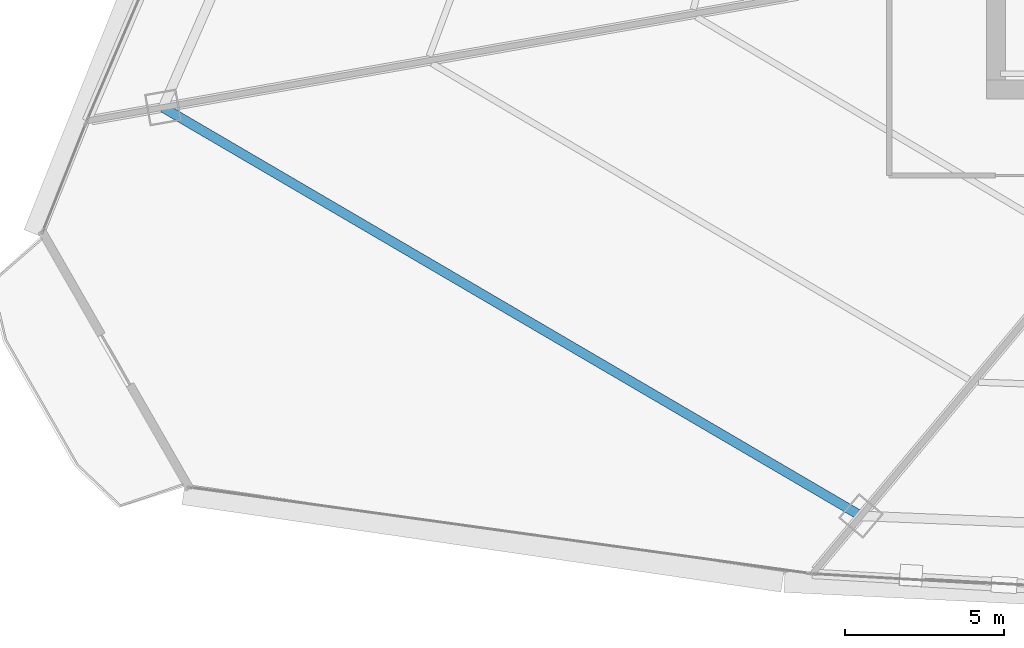
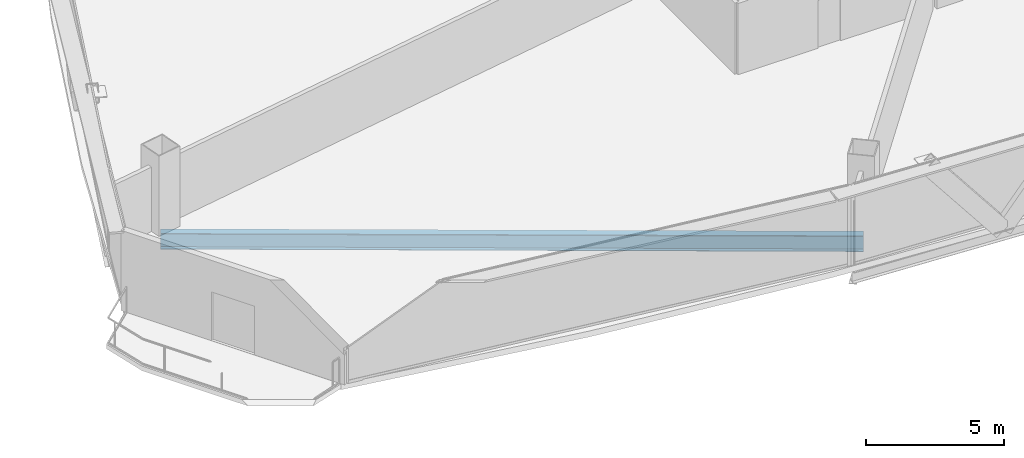
# One storey, part 5 of 37: 1 beam.
"""IFC4 building model written with IfcOpenShell, lengths in metres."""

import ifcopenshell
import ifcopenshell.guid

model = None  # the IFC model being written
_history = None  # IfcOwnerHistory: only IFC2X3 demands one
_inside = {}  # id of a spatial element -> (the spatial element, [elements in it])
_under = {}  # id of a project, library or spatial element -> (it, [spatial elements below it])
_declared = {}  # id of a project -> (the project, [libraries it declares])
_typed = {}  # id of a type object -> (the type object, [elements of that type])
_made_of = {}  # id of a material, layer set ... -> (it, [elements and type objects made of it])


def new_model(schema):
    """Start an empty IFC model of exactly this schema.

    Asked for "IFC4X3", IfcOpenShell would pick the latest addendum, in which some entities
    have other attributes; the version numbers below select the first issue.
    IFC2X3 requires an IfcOwnerHistory on every rooted entity: one is made here for all.
    """
    global model, _history
    if schema == "IFC4X3":
        model = ifcopenshell.file(schema_version=(4, 3, 0, 0))
    else:
        model = ifcopenshell.file(schema=schema)
    _inside.clear()
    _under.clear()
    _declared.clear()
    _typed.clear()
    _made_of.clear()
    _history = None
    if model.schema == "IFC2X3":
        org = make("IfcOrganization", Name="unknown")
        user = make(
            "IfcPersonAndOrganization",
            ThePerson=make("IfcPerson", FamilyName="unknown"),
            TheOrganization=org,
        )
        app = make(
            "IfcApplication",
            ApplicationDeveloper=org,
            Version="unknown",
            ApplicationFullName="unknown",
            ApplicationIdentifier="unknown",
        )
        _history = make(
            "IfcOwnerHistory",
            OwningUser=user,
            OwningApplication=app,
            ChangeAction="ADDED",
            CreationDate=0,
        )
    return model


def make(cls, **values):
    """One entity of the class cls with the attributes given. An attribute that is None is left unset."""
    return model.create_entity(
        cls, **{name: value for name, value in values.items() if value is not None}
    )


def rooted(cls, **values):
    """An entity with a GlobalId (a new one), such as an element, a storey or a relation."""
    return make(cls, GlobalId=ifcopenshell.guid.new(), OwnerHistory=_history, **values)


def si_unit(unit_type, name, prefix=None):
    """IfcSIUnit, for example si_unit("LENGTHUNIT", "METRE", prefix="MILLI")."""
    return make("IfcSIUnit", UnitType=unit_type, Prefix=prefix, Name=name)


def assignment(units):
    """IfcUnitAssignment: the units of a project."""
    return None if units is None else make("IfcUnitAssignment", Units=units)


def point(xyz):
    """IfcCartesianPoint."""
    return None if xyz is None else make("IfcCartesianPoint", Coordinates=xyz)


def direction(xyz):
    """IfcDirection."""
    return None if xyz is None else make("IfcDirection", DirectionRatios=xyz)


def frame(location, z_axis=None, x_axis=None):
    """IfcAxis2Placement3D, a coordinate frame: its origin and axes. An axis left out is left unset."""
    return make(
        "IfcAxis2Placement3D",
        Location=point(location),
        Axis=direction(z_axis),
        RefDirection=direction(x_axis),
    )


def frame_2d(location, x_axis=None):
    """IfcAxis2Placement2D, a coordinate frame in the plane: its origin and x axis."""
    return make(
        "IfcAxis2Placement2D", Location=point(location), RefDirection=direction(x_axis)
    )


def origin():
    """The frame at (0, 0, 0) with its axes left unset."""
    return frame((0.0, 0.0, 0.0))


def origin_2d():
    """The frame at (0, 0) in the plane with its x axis left unset."""
    return frame_2d((0.0, 0.0))


def place(relative_to, where):
    """IfcLocalPlacement: puts the frame where relative to a parent placement (None: the world)."""
    return make(
        "IfcLocalPlacement", PlacementRelTo=relative_to, RelativePlacement=where
    )


def context(
    kind, dimensions, precision=None, world=None, true_north=None, identifier=None
):
    """IfcGeometricRepresentationContext, for example the 3D "Model" context."""
    return make(
        "IfcGeometricRepresentationContext",
        ContextIdentifier=identifier,
        ContextType=kind,
        CoordinateSpaceDimension=dimensions,
        Precision=precision,
        WorldCoordinateSystem=world,
        TrueNorth=true_north,
    )


def subcontext(parent, identifier, kind, view, scale=None):
    """IfcGeometricRepresentationSubContext, for example "Body" below "Model"."""
    return make(
        "IfcGeometricRepresentationSubContext",
        ContextIdentifier=identifier,
        ContextType=kind,
        ParentContext=parent,
        TargetScale=scale,
        TargetView=view,
    )


def project(units=None, contexts=None):
    """IfcProject with its units and contexts."""
    return rooted(
        "IfcProject",
        Name="project",
        RepresentationContexts=contexts,
        UnitsInContext=assignment(units),
    )


def spatial(cls, under=None, at=None, **own):
    """A site, building, storey or space (cls), placed at a placement, below another one or the project."""
    s = rooted(cls, ObjectPlacement=at, **own)
    if under is not None:
        _under.setdefault(under.id(), (under, []))[1].append(s)
    return s


def profile(cls, at=None, kind="AREA", **sizes):
    """A parametric profile (cls). Its sizes go by their IFC names, for example OverallWidth=200.0."""
    return make(cls, ProfileType=kind, Position=at, **sizes)


def i_section(**sizes):
    """IfcIShapeProfileDef."""
    return profile("IfcIShapeProfileDef", **sizes)


def extrude(swept, where, along, depth):
    """IfcExtrudedAreaSolid: the profile swept, set in the frame where, extruded along a direction by depth."""
    return make(
        "IfcExtrudedAreaSolid",
        SweptArea=swept,
        Position=where,
        ExtrudedDirection=direction(along),
        Depth=depth,
    )


def shape(context_of_items, identifier, shape_type, items):
    """IfcShapeRepresentation: the items that make up one representation, for example the "Body"."""
    return make(
        "IfcShapeRepresentation",
        ContextOfItems=context_of_items,
        RepresentationIdentifier=identifier,
        RepresentationType=shape_type,
        Items=items,
    )


def source(mapping_origin, context_of_items, identifier, shape_type, items):
    """IfcRepresentationMap: a shape defined once, which mapped items show again and again."""
    return make(
        "IfcRepresentationMap",
        MappingOrigin=mapping_origin,
        MappedRepresentation=shape(context_of_items, identifier, shape_type, items),
    )


def transform(
    local_origin,
    x_axis=None,
    y_axis=None,
    z_axis=None,
    scale=None,
    scale2=None,
    scale3=None,
    uniform=True,
):
    """IfcCartesianTransformationOperator3D, or its non-uniform kind. x_axis, y_axis, z_axis: its Axis1, 2, 3."""
    if uniform:
        return make(
            "IfcCartesianTransformationOperator3D",
            Axis1=direction(x_axis),
            Axis2=direction(y_axis),
            LocalOrigin=point(local_origin),
            Scale=scale,
            Axis3=direction(z_axis),
        )
    return make(
        "IfcCartesianTransformationOperator3DnonUniform",
        Axis1=direction(x_axis),
        Axis2=direction(y_axis),
        LocalOrigin=point(local_origin),
        Scale=scale,
        Axis3=direction(z_axis),
        Scale2=scale2,
        Scale3=scale3,
    )


def mapped(mapping_source, mapping_target):
    """IfcMappedItem: shows the shape of a source again, moved by a transform."""
    return make(
        "IfcMappedItem", MappingSource=mapping_source, MappingTarget=mapping_target
    )


def material(Name=None, Category=None):
    """IfcMaterial."""
    return make("IfcMaterial", Name=Name, Category=Category)


def material_profile(
    of_material, cross_section, Name=None, Category=None, Priority=None
):
    """IfcMaterialProfile: a cross section and its material."""
    return make(
        "IfcMaterialProfile",
        Name=Name,
        Material=of_material,
        Profile=cross_section,
        Priority=Priority,
        Category=Category,
    )


def profile_set(profiles, Name=None, composite=None):
    """IfcMaterialProfileSet."""
    return make(
        "IfcMaterialProfileSet",
        Name=Name,
        MaterialProfiles=profiles,
        CompositeProfile=composite,
    )


def made_of(thing, what):
    """Note that an element or type object is made of a material, layer set ...; save() writes the relation."""
    if what is not None:
        _made_of.setdefault(what.id(), (what, []))[1].append(thing)
    return thing


def type_object(cls, material=None, **own):
    """A type object (cls), such as IfcWallType, which elements share."""
    return made_of(rooted(cls, **own), material)


def element(
    cls,
    number,
    at=None,
    inside=None,
    cuts=None,
    type_object=None,
    material=None,
    context=None,
    identifier="Body",
    shape_type=None,
    held_by="IfcProductDefinitionShape",
    body=None,
    shapes=None,
    **own,
):
    """One element of the class cls, such as IfcWall. Its Tag is "e" and its number.

    at: its placement. inside: the storey or other place that contains it. cuts: it is an
    opening in that element (IfcRelVoidsElement). A single representation is given by context,
    identifier, shape_type and body (its items); several are given by shapes. held_by: the class
    of the entity that holds the representations. save() writes the other relations.
    """
    e = rooted(cls, Tag="e%d" % number, ObjectPlacement=at, **own)
    if body is not None:
        shapes = [shape(context, identifier, shape_type, body)]
    if shapes is not None:
        e.Representation = make(held_by, Representations=shapes)
    if inside is not None:
        _inside.setdefault(inside.id(), (inside, []))[1].append(e)
    if cuts is not None:
        rooted(
            "IfcRelVoidsElement", RelatingBuildingElement=cuts, RelatedOpeningElement=e
        )
    if type_object is not None:
        _typed.setdefault(type_object.id(), (type_object, []))[1].append(e)
    return made_of(e, material)


def aggregate(whole, parts):
    """IfcRelAggregates: a whole, such as a stair, and the parts it consists of."""
    return rooted("IfcRelAggregates", RelatingObject=whole, RelatedObjects=parts)


def save(model, path):
    """Write the relations noted so far, then the file.

    IfcRelAggregates (storeys below a building ...), IfcRelContainedInSpatialStructure (elements
    in a storey), IfcRelDefinesByType, IfcRelAssociatesMaterial and IfcRelDeclares: one each for
    every whole, place, type object, material and project.
    """
    for whole, parts in _under.values():
        aggregate(whole, parts)
    for where, things in _inside.values():
        rooted(
            "IfcRelContainedInSpatialStructure",
            RelatedElements=things,
            RelatingStructure=where,
        )
    for kind, things in _typed.values():
        rooted("IfcRelDefinesByType", RelatedObjects=things, RelatingType=kind)
    for what, things in _made_of.values():
        rooted("IfcRelAssociatesMaterial", RelatedObjects=things, RelatingMaterial=what)
    for by, libraries in _declared.values():
        rooted("IfcRelDeclares", RelatingContext=by, RelatedDefinitions=libraries)
    model.write(path)


model = new_model("IFC4")

# Units and contexts
model_context = context("Model", 3, precision=1e-05, world=origin(), true_north=direction((0.0, 1.0)))
body_context = subcontext(model_context, "Body", "Model", "MODEL_VIEW")
ifc_project = project(units=[si_unit("LENGTHUNIT", "METRE"), si_unit("AREAUNIT", "SQUARE_METRE"), si_unit("VOLUMEUNIT", "CUBIC_METRE"), si_unit("PLANEANGLEUNIT", "RADIAN"), si_unit("MASSUNIT", "GRAM", prefix="KILO"), si_unit("THERMODYNAMICTEMPERATUREUNIT", "KELVIN"), si_unit("POWERUNIT", "WATT")], contexts=[model_context])

# Site, building, storey
site_placement = place(None, origin())
site = spatial("IfcSite", under=ifc_project, at=site_placement, CompositionType="ELEMENT")
building_placement = place(site_placement, origin())
building = spatial("IfcBuilding", under=site, at=building_placement, Name="Yunzhuo Pagoda Commons", CompositionType="ELEMENT")
storey_placement = place(building_placement, frame((0.0, 0.0, 88.780029296875)))
storey = spatial("IfcBuildingStorey", under=building, at=storey_placement, Name="L22", CompositionType="ELEMENT", Elevation=88.780029296875)

# Beam
ifc_material = material(Name="Structural steel Q355B", Category="steel")
ifc_material_profile = material_profile(ifc_material, i_section(OverallWidth=0.300048828125, OverallDepth=0.699951171875, WebThickness=0.012939453125, FlangeThickness=0.02392578125, at=origin_2d()), Name="Structural steel Q355B")
ifc_profile_set = profile_set([ifc_material_profile], Name="Structural steel Q355B")
beam_type = type_object("IfcBeamType", Name="B-RG1 Beam HN 700x300x13x24", PredefinedType="BEAM", material=ifc_profile_set)
shared_shape = source(origin(), body_context, "Body", "SweptSolid", [
    extrude(i_section(OverallWidth=0.300048828125, OverallDepth=0.699951171875, WebThickness=0.012939453125, FlangeThickness=0.02392578125, at=origin_2d()), origin(), (0.0, 0.0, 1.0), 25.3935546875),
])
beam_placement = place(storey_placement, frame((9.647216796875, 26.9375, -0.610107421875), z_axis=(0.863085207128, -0.505058338449, 0.0), x_axis=(0.505058338449, 0.863085207128, 0.0)))
element("IfcBeam", 1, at=beam_placement, inside=storey, type_object=beam_type, Name="L22 column-ring beam 12", PredefinedType="BEAM", context=body_context, shape_type="MappedRepresentation", body=[
    mapped(shared_shape, transform((0.0, 0.0, 0.0), scale=1.0)),
])

save(model, "model.ifc")
